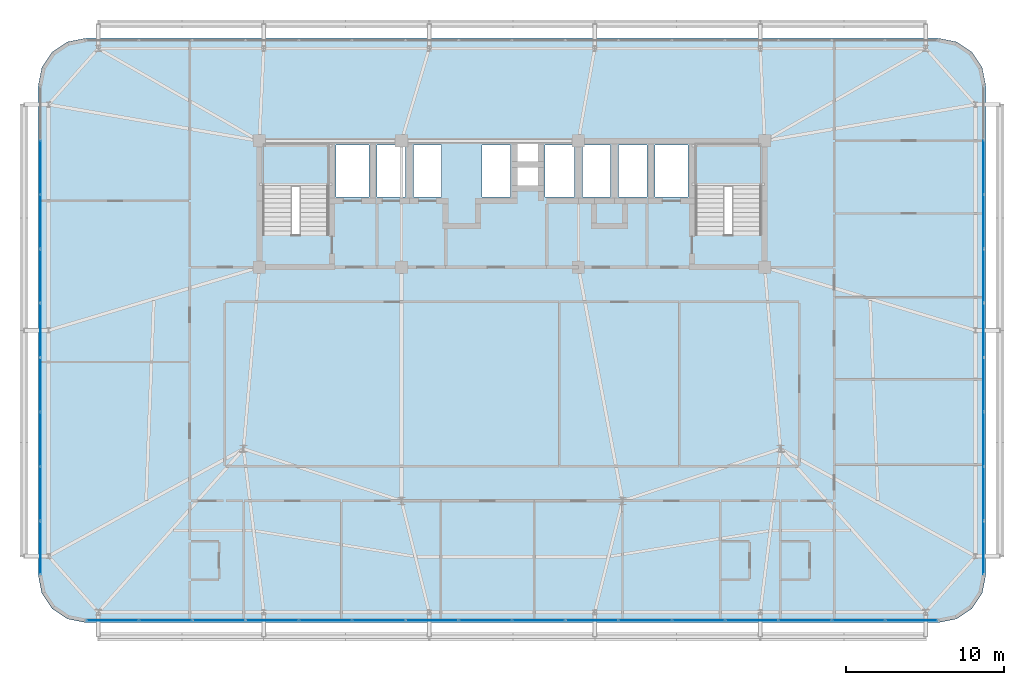
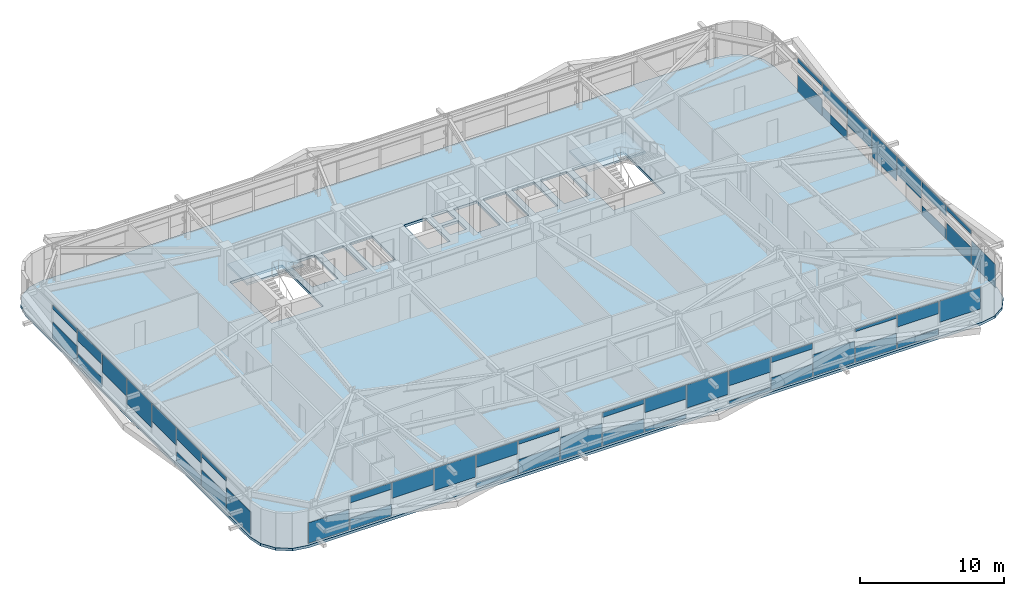
# One storey, part 42 of 58: 49 plates, 3 slabs, 5 elements without a shape of their own.
"""IFC4 building model written with IfcOpenShell, lengths in metres."""

import ifcopenshell
import ifcopenshell.guid

model = None  # the IFC model being written
_history = None  # IfcOwnerHistory: only IFC2X3 demands one
_inside = {}  # id of a spatial element -> (the spatial element, [elements in it])
_under = {}  # id of a project, library or spatial element -> (it, [spatial elements below it])
_declared = {}  # id of a project -> (the project, [libraries it declares])
_typed = {}  # id of a type object -> (the type object, [elements of that type])
_made_of = {}  # id of a material, layer set ... -> (it, [elements and type objects made of it])


def new_model(schema):
    """Start an empty IFC model of exactly this schema.

    Asked for "IFC4X3", IfcOpenShell would pick the latest addendum, in which some entities
    have other attributes; the version numbers below select the first issue.
    IFC2X3 requires an IfcOwnerHistory on every rooted entity: one is made here for all.
    """
    global model, _history
    if schema == "IFC4X3":
        model = ifcopenshell.file(schema_version=(4, 3, 0, 0))
    else:
        model = ifcopenshell.file(schema=schema)
    _inside.clear()
    _under.clear()
    _declared.clear()
    _typed.clear()
    _made_of.clear()
    _history = None
    if model.schema == "IFC2X3":
        org = make("IfcOrganization", Name="unknown")
        user = make(
            "IfcPersonAndOrganization",
            ThePerson=make("IfcPerson", FamilyName="unknown"),
            TheOrganization=org,
        )
        app = make(
            "IfcApplication",
            ApplicationDeveloper=org,
            Version="unknown",
            ApplicationFullName="unknown",
            ApplicationIdentifier="unknown",
        )
        _history = make(
            "IfcOwnerHistory",
            OwningUser=user,
            OwningApplication=app,
            ChangeAction="ADDED",
            CreationDate=0,
        )
    return model


def make(cls, **values):
    """One entity of the class cls with the attributes given. An attribute that is None is left unset."""
    return model.create_entity(
        cls, **{name: value for name, value in values.items() if value is not None}
    )


def rooted(cls, **values):
    """An entity with a GlobalId (a new one), such as an element, a storey or a relation."""
    return make(cls, GlobalId=ifcopenshell.guid.new(), OwnerHistory=_history, **values)


def si_unit(unit_type, name, prefix=None):
    """IfcSIUnit, for example si_unit("LENGTHUNIT", "METRE", prefix="MILLI")."""
    return make("IfcSIUnit", UnitType=unit_type, Prefix=prefix, Name=name)


def assignment(units):
    """IfcUnitAssignment: the units of a project."""
    return None if units is None else make("IfcUnitAssignment", Units=units)


def point(xyz):
    """IfcCartesianPoint."""
    return None if xyz is None else make("IfcCartesianPoint", Coordinates=xyz)


def direction(xyz):
    """IfcDirection."""
    return None if xyz is None else make("IfcDirection", DirectionRatios=xyz)


def frame(location, z_axis=None, x_axis=None):
    """IfcAxis2Placement3D, a coordinate frame: its origin and axes. An axis left out is left unset."""
    return make(
        "IfcAxis2Placement3D",
        Location=point(location),
        Axis=direction(z_axis),
        RefDirection=direction(x_axis),
    )


def frame_2d(location, x_axis=None):
    """IfcAxis2Placement2D, a coordinate frame in the plane: its origin and x axis."""
    return make(
        "IfcAxis2Placement2D", Location=point(location), RefDirection=direction(x_axis)
    )


def origin():
    """The frame at (0, 0, 0) with its axes left unset."""
    return frame((0.0, 0.0, 0.0))


def origin_2d():
    """The frame at (0, 0) in the plane with its x axis left unset."""
    return frame_2d((0.0, 0.0))


def place(relative_to, where):
    """IfcLocalPlacement: puts the frame where relative to a parent placement (None: the world)."""
    return make(
        "IfcLocalPlacement", PlacementRelTo=relative_to, RelativePlacement=where
    )


def context(
    kind, dimensions, precision=None, world=None, true_north=None, identifier=None
):
    """IfcGeometricRepresentationContext, for example the 3D "Model" context."""
    return make(
        "IfcGeometricRepresentationContext",
        ContextIdentifier=identifier,
        ContextType=kind,
        CoordinateSpaceDimension=dimensions,
        Precision=precision,
        WorldCoordinateSystem=world,
        TrueNorth=true_north,
    )


def subcontext(parent, identifier, kind, view, scale=None):
    """IfcGeometricRepresentationSubContext, for example "Body" below "Model"."""
    return make(
        "IfcGeometricRepresentationSubContext",
        ContextIdentifier=identifier,
        ContextType=kind,
        ParentContext=parent,
        TargetScale=scale,
        TargetView=view,
    )


def project(units=None, contexts=None):
    """IfcProject with its units and contexts."""
    return rooted(
        "IfcProject",
        Name="project",
        RepresentationContexts=contexts,
        UnitsInContext=assignment(units),
    )


def spatial(cls, under=None, at=None, **own):
    """A site, building, storey or space (cls), placed at a placement, below another one or the project."""
    s = rooted(cls, ObjectPlacement=at, **own)
    if under is not None:
        _under.setdefault(under.id(), (under, []))[1].append(s)
    return s


def polyline(points):
    """IfcPolyline through the points."""
    return make("IfcPolyline", Points=[point(p) for p in points])


def profile(cls, at=None, kind="AREA", **sizes):
    """A parametric profile (cls). Its sizes go by their IFC names, for example OverallWidth=200.0."""
    return make(cls, ProfileType=kind, Position=at, **sizes)


def rectangle(**sizes):
    """IfcRectangleProfileDef."""
    return profile("IfcRectangleProfileDef", **sizes)


def outline(outer, holes=None, kind="AREA"):
    """IfcArbitraryClosedProfileDef: a profile drawn as a closed curve; with holes, ...WithVoids."""
    if holes is None:
        return make("IfcArbitraryClosedProfileDef", ProfileType=kind, OuterCurve=outer)
    return make(
        "IfcArbitraryProfileDefWithVoids",
        ProfileType=kind,
        OuterCurve=outer,
        InnerCurves=holes,
    )


def extrude(swept, where, along, depth):
    """IfcExtrudedAreaSolid: the profile swept, set in the frame where, extruded along a direction by depth."""
    return make(
        "IfcExtrudedAreaSolid",
        SweptArea=swept,
        Position=where,
        ExtrudedDirection=direction(along),
        Depth=depth,
    )


def shape(context_of_items, identifier, shape_type, items):
    """IfcShapeRepresentation: the items that make up one representation, for example the "Body"."""
    return make(
        "IfcShapeRepresentation",
        ContextOfItems=context_of_items,
        RepresentationIdentifier=identifier,
        RepresentationType=shape_type,
        Items=items,
    )


def source(mapping_origin, context_of_items, identifier, shape_type, items):
    """IfcRepresentationMap: a shape defined once, which mapped items show again and again."""
    return make(
        "IfcRepresentationMap",
        MappingOrigin=mapping_origin,
        MappedRepresentation=shape(context_of_items, identifier, shape_type, items),
    )


def transform(
    local_origin,
    x_axis=None,
    y_axis=None,
    z_axis=None,
    scale=None,
    scale2=None,
    scale3=None,
    uniform=True,
):
    """IfcCartesianTransformationOperator3D, or its non-uniform kind. x_axis, y_axis, z_axis: its Axis1, 2, 3."""
    if uniform:
        return make(
            "IfcCartesianTransformationOperator3D",
            Axis1=direction(x_axis),
            Axis2=direction(y_axis),
            LocalOrigin=point(local_origin),
            Scale=scale,
            Axis3=direction(z_axis),
        )
    return make(
        "IfcCartesianTransformationOperator3DnonUniform",
        Axis1=direction(x_axis),
        Axis2=direction(y_axis),
        LocalOrigin=point(local_origin),
        Scale=scale,
        Axis3=direction(z_axis),
        Scale2=scale2,
        Scale3=scale3,
    )


def mapped(mapping_source, mapping_target):
    """IfcMappedItem: shows the shape of a source again, moved by a transform."""
    return make(
        "IfcMappedItem", MappingSource=mapping_source, MappingTarget=mapping_target
    )


def material(Name=None, Category=None):
    """IfcMaterial."""
    return make("IfcMaterial", Name=Name, Category=Category)


def layer(
    of_material, thickness, ventilated=None, Name=None, Category=None, Priority=None
):
    """IfcMaterialLayer: one layer of a wall or slab, of a material (None: an air gap)."""
    return make(
        "IfcMaterialLayer",
        Material=of_material,
        LayerThickness=thickness,
        IsVentilated=ventilated,
        Name=Name,
        Category=Category,
        Priority=Priority,
    )


def layer_set(layers, Name=None):
    """IfcMaterialLayerSet."""
    return make("IfcMaterialLayerSet", MaterialLayers=layers, LayerSetName=Name)


def made_of(thing, what):
    """Note that an element or type object is made of a material, layer set ...; save() writes the relation."""
    if what is not None:
        _made_of.setdefault(what.id(), (what, []))[1].append(thing)
    return thing


def type_object(cls, material=None, **own):
    """A type object (cls), such as IfcWallType, which elements share."""
    return made_of(rooted(cls, **own), material)


def element(
    cls,
    number,
    at=None,
    inside=None,
    cuts=None,
    type_object=None,
    material=None,
    context=None,
    identifier="Body",
    shape_type=None,
    held_by="IfcProductDefinitionShape",
    body=None,
    shapes=None,
    **own,
):
    """One element of the class cls, such as IfcWall. Its Tag is "e" and its number.

    at: its placement. inside: the storey or other place that contains it. cuts: it is an
    opening in that element (IfcRelVoidsElement). A single representation is given by context,
    identifier, shape_type and body (its items); several are given by shapes. held_by: the class
    of the entity that holds the representations. save() writes the other relations.
    """
    e = rooted(cls, Tag="e%d" % number, ObjectPlacement=at, **own)
    if body is not None:
        shapes = [shape(context, identifier, shape_type, body)]
    if shapes is not None:
        e.Representation = make(held_by, Representations=shapes)
    if inside is not None:
        _inside.setdefault(inside.id(), (inside, []))[1].append(e)
    if cuts is not None:
        rooted(
            "IfcRelVoidsElement", RelatingBuildingElement=cuts, RelatedOpeningElement=e
        )
    if type_object is not None:
        _typed.setdefault(type_object.id(), (type_object, []))[1].append(e)
    return made_of(e, material)


def aggregate(whole, parts):
    """IfcRelAggregates: a whole, such as a stair, and the parts it consists of."""
    return rooted("IfcRelAggregates", RelatingObject=whole, RelatedObjects=parts)


def save(model, path):
    """Write the relations noted so far, then the file.

    IfcRelAggregates (storeys below a building ...), IfcRelContainedInSpatialStructure (elements
    in a storey), IfcRelDefinesByType, IfcRelAssociatesMaterial and IfcRelDeclares: one each for
    every whole, place, type object, material and project.
    """
    for whole, parts in _under.values():
        aggregate(whole, parts)
    for where, things in _inside.values():
        rooted(
            "IfcRelContainedInSpatialStructure",
            RelatedElements=things,
            RelatingStructure=where,
        )
    for kind, things in _typed.values():
        rooted("IfcRelDefinesByType", RelatedObjects=things, RelatingType=kind)
    for what, things in _made_of.values():
        rooted("IfcRelAssociatesMaterial", RelatedObjects=things, RelatingMaterial=what)
    for by, libraries in _declared.values():
        rooted("IfcRelDeclares", RelatingContext=by, RelatedDefinitions=libraries)
    model.write(path)


model = new_model("IFC4")

# Units and contexts
model_context = context("Model", 3, precision=1e-05, world=origin(), true_north=direction((0.0, 1.0)))
body_context = subcontext(model_context, "Body", "Model", "MODEL_VIEW")
ifc_project = project(units=[si_unit("LENGTHUNIT", "METRE"), si_unit("AREAUNIT", "SQUARE_METRE"), si_unit("VOLUMEUNIT", "CUBIC_METRE"), si_unit("PLANEANGLEUNIT", "RADIAN"), si_unit("MASSUNIT", "GRAM", prefix="KILO")], contexts=[model_context])

# Site, building, storey
site_placement = place(None, origin())
site = spatial("IfcSite", under=ifc_project, at=site_placement, CompositionType="ELEMENT")
building_placement = place(site_placement, origin())
building = spatial("IfcBuilding", under=site, at=building_placement, Name="Taldren Reach Tower", CompositionType="ELEMENT")
storey_placement = place(building_placement, frame((0.0, 0.0, 51.449951171875)))
storey = spatial("IfcBuildingStorey", under=building, at=storey_placement, Name="L15", CompositionType="ELEMENT", Elevation=51.449951171875)

# Slab
ifc_material_1 = material(Name="Concrete N40 (40 MPa)", Category="concrete")
ifc_layer_1 = layer(ifc_material_1, 0.219970703125)
ifc_layer_set_1 = layer_set([ifc_layer_1], Name="Concrete N40 (40 MPa)")
slab_type_1 = type_object("IfcSlabType", Name="SL-FLR-220", PredefinedType="FLOOR", material=ifc_layer_set_1)
slab_1_placement = place(storey_placement, frame((0.0, 0.0, -0.219970703125)))
element("IfcSlab", 1, at=slab_1_placement, inside=storey, type_object=slab_type_1, Name="Suspended floor slab L15", PredefinedType="FLOOR", context=body_context, shape_type="SweptSolid", body=[
    extrude(outline(polyline([(62.0, 1.5), (63.14794921875, 1.728271484375), (64.121337890625, 2.378662109375), (64.771728515625, 3.35205078125), (65.0, 4.5), (65.0, 35.5), (64.771728515625, 36.64794921875), (64.121337890625, 37.621337890625), (63.14794921875, 38.271728515625), (62.0, 38.5), (8.0, 38.5), (6.85205078125, 38.271728515625), (5.878662109375, 37.621337890625), (5.228271484375, 36.64794921875), (5.0, 35.5), (5.0, 4.5), (5.228271484375, 3.35205078125), (5.878662109375, 2.378662109375), (6.85205078125, 1.728271484375), (8.0, 1.5), (62.0, 1.5)]), holes=[polyline([(19.219970703125, 26.050048828125), (23.3798828125, 26.050048828125), (23.3798828125, 31.820068359375), (19.219970703125, 31.820068359375), (19.219970703125, 26.050048828125)]), polyline([(46.6201171875, 26.050048828125), (50.780029296875, 26.050048828125), (50.780029296875, 31.820068359375), (46.6201171875, 31.820068359375), (46.6201171875, 26.050048828125)]), polyline([(23.85009765625, 28.449951171875), (25.949951171875, 28.449951171875), (25.949951171875, 31.75), (23.85009765625, 31.75), (23.85009765625, 28.449951171875)]), polyline([(44.050048828125, 28.449951171875), (46.14990234375, 28.449951171875), (46.14990234375, 31.75), (44.050048828125, 31.75), (44.050048828125, 28.449951171875)]), polyline([(26.449951171875, 28.449951171875), (28.25, 28.449951171875), (28.25, 31.75), (26.449951171875, 31.75), (26.449951171875, 28.449951171875)]), polyline([(28.75, 28.449951171875), (30.550048828125, 28.449951171875), (30.550048828125, 31.75), (28.75, 31.75), (28.75, 28.449951171875)]), polyline([(33.10009765625, 28.449951171875), (34.89990234375, 28.449951171875), (34.89990234375, 31.75), (33.10009765625, 31.75), (33.10009765625, 28.449951171875)]), polyline([(37.10009765625, 28.449951171875), (38.949951171875, 28.449951171875), (38.949951171875, 31.75), (37.10009765625, 31.75), (37.10009765625, 28.449951171875)]), polyline([(39.449951171875, 28.449951171875), (41.25, 28.449951171875), (41.25, 31.75), (39.449951171875, 31.75), (39.449951171875, 28.449951171875)]), polyline([(41.75, 28.449951171875), (43.550048828125, 28.449951171875), (43.550048828125, 31.75), (41.75, 31.75), (41.75, 28.449951171875)]), polyline([(35.35009765625, 30.64990234375), (36.64990234375, 30.64990234375), (36.64990234375, 31.85009765625), (35.35009765625, 31.85009765625), (35.35009765625, 30.64990234375)]), polyline([(35.35009765625, 29.14990234375), (36.64990234375, 29.14990234375), (36.64990234375, 30.35009765625), (35.35009765625, 30.35009765625), (35.35009765625, 29.14990234375)])]), origin(), (0.0, 0.0, 1.0), 0.219970703125),
])

# Stair, slab
ifc_material_2 = material(Name="Concrete S50 (50 MPa)", Category="concrete")
stair_type = type_object("IfcStairType", Name="ST-HT-315", PredefinedType="HALF_TURN_STAIR", material=ifc_material_2)
stair_1_placement = place(storey_placement, origin())
stair_1 = element("IfcStair", 2, at=stair_1_placement, inside=storey, type_object=stair_type, Name="Fire-isolated exit stair ST1 L15", PredefinedType="HALF_TURN_STAIR")
ifc_layer_2 = layer(ifc_material_2, 0.179931640625)
ifc_layer_set_2 = layer_set([ifc_layer_2], Name="Concrete S50 (50 MPa)")
slab_type_2 = type_object("IfcSlabType", Name="SL-LAND-180", PredefinedType="LANDING", material=ifc_layer_set_2)
slab_2_placement = place(storey_placement, frame((0.0, 0.0, 1.39501953125)))
slab_2 = element("IfcSlab", 3, at=slab_2_placement, type_object=slab_type_2, Name="ST1 landing 1", PredefinedType="LANDING", context=body_context, shape_type="SweptSolid", body=[
    extrude(outline(polyline([(19.0400390625, 29.135009765625), (23.56005859375, 29.135009765625), (23.56005859375, 31.8701171875), (19.0400390625, 31.8701171875), (19.0400390625, 29.135009765625)])), origin(), (0.0, 0.0, 1.0), 0.179931640625),
])
aggregate(stair_1, [slab_2])

stair_2_placement = place(storey_placement, origin())
stair_2 = element("IfcStair", 4, at=stair_2_placement, inside=storey, type_object=stair_type, Name="Fire-isolated exit stair ST2 L15", PredefinedType="HALF_TURN_STAIR")
slab_3_placement = place(storey_placement, frame((0.0, 0.0, 1.39501953125)))
slab_3 = element("IfcSlab", 5, at=slab_3_placement, type_object=slab_type_2, Name="ST2 landing 1", PredefinedType="LANDING", context=body_context, shape_type="SweptSolid", body=[
    extrude(outline(polyline([(46.43994140625, 29.135009765625), (50.9599609375, 29.135009765625), (50.9599609375, 31.8701171875), (46.43994140625, 31.8701171875), (46.43994140625, 29.135009765625)])), origin(), (0.0, 0.0, 1.0), 0.179931640625),
])
aggregate(stair_2, [slab_3])

# Curtain wall, plates
ifc_material_3 = material(Name="Aluminium and Low-E Glass Unitised System", Category="aluminium")
ifc_layer_3 = layer(ifc_material_3, 0.159912109375)
ifc_layer_set_3 = layer_set([ifc_layer_3], Name="Aluminium and Low-E Glass Unitised System")
curtain_wall_type = type_object("IfcCurtainWallType", Name="CW-SYS-2", PredefinedType="NOTDEFINED", material=ifc_layer_set_3)
curtain_wall_1_placement = place(storey_placement, origin())
curtain_wall_1 = element("IfcCurtainWall", 6, at=curtain_wall_1_placement, inside=storey, type_object=curtain_wall_type, Name="Unitised curtain wall CW-L15-S", PredefinedType="NOTDEFINED")
ifc_material_4 = material(Name="Solar-Control Double Glazed IGU", Category="glass")
ifc_layer_4 = layer(ifc_material_4, 0.031982421875)
ifc_layer_set_4 = layer_set([ifc_layer_4], Name="Solar-Control Double Glazed IGU")
plate_type = type_object("IfcPlateType", Name="CW-PNL-IGU32", PredefinedType="CURTAIN_PANEL", material=ifc_layer_set_4)
shared_shape_1 = source(origin(), body_context, "Body", "SweptSolid", [
    extrude(rectangle(XDim=3.277587890625, YDim=0.031982421875, at=origin_2d()), origin(), (0.0, 0.0, 1.0), 1.73876953125),
])
plate_1_placement = place(storey_placement, frame((9.703857421875, 1.639892578125, 0.054931640625), z_axis=(0.0, 0.0, 1.0), x_axis=(1.0, 0.0, 0.0)))
plate_1 = element("IfcPlate", 7, at=plate_1_placement, type_object=plate_type, Name="CW-2 panel 1.1 part 1", PredefinedType="CURTAIN_PANEL", context=body_context, shape_type="MappedRepresentation", body=[
    mapped(shared_shape_1, transform((0.0, 0.0, 0.0), scale=1.0)),
])
shared_shape_2 = source(origin(), body_context, "Body", "SweptSolid", [
    extrude(rectangle(XDim=3.31005859375, YDim=0.031982421875, at=origin_2d()), origin(), (0.0, 0.0, 1.0), 0.9560546875),
])
plate_2_placement = place(storey_placement, frame((13.0625, 1.639892578125, 0.05517578125), z_axis=(0.0, 0.0, 1.0), x_axis=(1.0, 0.0, 0.0)))
plate_2 = element("IfcPlate", 8, at=plate_2_placement, type_object=plate_type, Name="CW-2 panel 2.1 part 1", PredefinedType="CURTAIN_PANEL", context=body_context, shape_type="MappedRepresentation", body=[
    mapped(shared_shape_2, transform((0.0, 0.0, 0.0), scale=1.0)),
])
shared_shape_3 = source(origin(), body_context, "Body", "SweptSolid", [
    extrude(rectangle(XDim=3.31005859375, YDim=0.031982421875, at=origin_2d()), origin(), (0.0, 0.0, 1.0), 0.562744140625),
])
plate_3_placement = place(storey_placement, frame((13.0625, 1.639892578125, 2.3125), z_axis=(0.0, 0.0, 1.0), x_axis=(1.0, 0.0, 0.0)))
plate_3 = element("IfcPlate", 9, at=plate_3_placement, type_object=plate_type, Name="CW-2 panel 2.1 part 2", PredefinedType="CURTAIN_PANEL", context=body_context, shape_type="MappedRepresentation", body=[
    mapped(shared_shape_3, transform((0.0, 0.0, 0.0), scale=1.0)),
])
shared_shape_4 = source(origin(), body_context, "Body", "SweptSolid", [
    extrude(rectangle(XDim=3.31005859375, YDim=0.031982421875, at=origin_2d()), origin(), (0.0, 0.0, 1.0), 1.345458984375),
])
plate_4_placement = place(storey_placement, frame((16.4375, 1.639892578125, 1.52978515625), z_axis=(0.0, 0.0, 1.0), x_axis=(1.0, 0.0, 0.0)))
plate_4 = element("IfcPlate", 10, at=plate_4_placement, type_object=plate_type, Name="CW-2 panel 3.1 part 1", PredefinedType="CURTAIN_PANEL", context=body_context, shape_type="MappedRepresentation", body=[
    mapped(shared_shape_4, transform((0.0, 0.0, 0.0), scale=1.0)),
])
shared_shape_5 = source(origin(), body_context, "Body", "SweptSolid", [
    extrude(rectangle(XDim=3.31005859375, YDim=0.031982421875, at=origin_2d()), origin(), (0.0, 0.0, 1.0), 1.881103515625),
])
plate_5_placement = place(storey_placement, frame((19.8125, 1.639892578125, 0.994140625), z_axis=(0.0, 0.0, 1.0), x_axis=(1.0, 0.0, 0.0)))
plate_5 = element("IfcPlate", 11, at=plate_5_placement, type_object=plate_type, Name="CW-2 panel 4.1 part 1", PredefinedType="CURTAIN_PANEL", context=body_context, shape_type="MappedRepresentation", body=[
    mapped(shared_shape_5, transform((0.0, 0.0, 0.0), scale=1.0)),
])
shared_shape_6 = source(origin(), body_context, "Body", "SweptSolid", [
    extrude(rectangle(XDim=3.31005859375, YDim=0.031982421875, at=origin_2d()), origin(), (0.0, 0.0, 1.0), 0.42041015625),
])
plate_6_placement = place(storey_placement, frame((23.1875, 1.639892578125, 0.05517578125), z_axis=(0.0, 0.0, 1.0), x_axis=(1.0, 0.0, 0.0)))
plate_6 = element("IfcPlate", 12, at=plate_6_placement, type_object=plate_type, Name="CW-2 panel 5.1 part 1", PredefinedType="CURTAIN_PANEL", context=body_context, shape_type="MappedRepresentation", body=[
    mapped(shared_shape_6, transform((0.0, 0.0, 0.0), scale=1.0)),
])
shared_shape_7 = source(origin(), body_context, "Body", "SweptSolid", [
    extrude(rectangle(XDim=3.31005859375, YDim=0.031982421875, at=origin_2d()), origin(), (0.0, 0.0, 1.0), 1.098388671875),
])
plate_7_placement = place(storey_placement, frame((23.1875, 1.639892578125, 1.77685546875), z_axis=(0.0, 0.0, 1.0), x_axis=(1.0, 0.0, 0.0)))
plate_7 = element("IfcPlate", 13, at=plate_7_placement, type_object=plate_type, Name="CW-2 panel 5.1 part 2", PredefinedType="CURTAIN_PANEL", context=body_context, shape_type="MappedRepresentation", body=[
    mapped(shared_shape_7, transform((0.0, 0.0, 0.0), scale=1.0)),
])
shared_shape_8 = source(origin(), body_context, "Body", "SweptSolid", [
    extrude(rectangle(XDim=3.31005859375, YDim=0.031982421875, at=origin_2d()), origin(), (0.0, 0.0, 1.0), 1.203125),
])
plate_8_placement = place(storey_placement, frame((26.5625, 1.639892578125, 0.054931640625), z_axis=(0.0, 0.0, 1.0), x_axis=(1.0, 0.0, 0.0)))
plate_8 = element("IfcPlate", 14, at=plate_8_placement, type_object=plate_type, Name="CW-2 panel 6.1 part 1", PredefinedType="CURTAIN_PANEL", context=body_context, shape_type="MappedRepresentation", body=[
    mapped(shared_shape_8, transform((0.0, 0.0, 0.0), scale=1.0)),
])
shared_shape_9 = source(origin(), body_context, "Body", "SweptSolid", [
    extrude(rectangle(XDim=3.31005859375, YDim=0.031982421875, at=origin_2d()), origin(), (0.0, 0.0, 1.0), 0.31591796875),
])
plate_9_placement = place(storey_placement, frame((26.5625, 1.639892578125, 2.55908203125), z_axis=(0.0, 0.0, 1.0), x_axis=(1.0, 0.0, 0.0)))
plate_9 = element("IfcPlate", 15, at=plate_9_placement, type_object=plate_type, Name="CW-2 panel 6.1 part 2", PredefinedType="CURTAIN_PANEL", context=body_context, shape_type="MappedRepresentation", body=[
    mapped(shared_shape_9, transform((0.0, 0.0, 0.0), scale=1.0)),
])
shared_shape_10 = source(origin(), body_context, "Body", "SweptSolid", [
    extrude(rectangle(XDim=3.31005859375, YDim=0.031982421875, at=origin_2d()), origin(), (0.0, 0.0, 1.0), 1.9033203125),
])
plate_10_placement = place(storey_placement, frame((29.9375, 1.639892578125, 0.05517578125), z_axis=(0.0, 0.0, 1.0), x_axis=(1.0, 0.0, 0.0)))
plate_10 = element("IfcPlate", 16, at=plate_10_placement, type_object=plate_type, Name="CW-2 panel 7.1 part 1", PredefinedType="CURTAIN_PANEL", context=body_context, shape_type="MappedRepresentation", body=[
    mapped(shared_shape_10, transform((0.0, 0.0, 0.0), scale=1.0)),
])
shared_shape_11 = source(origin(), body_context, "Body", "SweptSolid", [
    extrude(rectangle(XDim=3.31005859375, YDim=0.031982421875, at=origin_2d()), origin(), (0.0, 0.0, 1.0), 1.120849609375),
])
plate_11_placement = place(storey_placement, frame((33.3125, 1.639892578125, 0.05517578125), z_axis=(0.0, 0.0, 1.0), x_axis=(1.0, 0.0, 0.0)))
plate_11 = element("IfcPlate", 17, at=plate_11_placement, type_object=plate_type, Name="CW-2 panel 8.1 part 1", PredefinedType="CURTAIN_PANEL", context=body_context, shape_type="MappedRepresentation", body=[
    mapped(shared_shape_11, transform((0.0, 0.0, 0.0), scale=1.0)),
])
shared_shape_12 = source(origin(), body_context, "Body", "SweptSolid", [
    extrude(rectangle(XDim=3.31005859375, YDim=0.031982421875, at=origin_2d()), origin(), (0.0, 0.0, 1.0), 0.398193359375),
])
plate_12_placement = place(storey_placement, frame((33.3125, 1.639892578125, 2.47705078125), z_axis=(0.0, 0.0, 1.0), x_axis=(1.0, 0.0, 0.0)))
plate_12 = element("IfcPlate", 18, at=plate_12_placement, type_object=plate_type, Name="CW-2 panel 8.1 part 2", PredefinedType="CURTAIN_PANEL", context=body_context, shape_type="MappedRepresentation", body=[
    mapped(shared_shape_12, transform((0.0, 0.0, 0.0), scale=1.0)),
])
shared_shape_13 = source(origin(), body_context, "Body", "SweptSolid", [
    extrude(rectangle(XDim=3.31005859375, YDim=0.031982421875, at=origin_2d()), origin(), (0.0, 0.0, 1.0), 0.338134765625),
])
plate_13_placement = place(storey_placement, frame((36.6875, 1.639892578125, 0.05517578125), z_axis=(0.0, 0.0, 1.0), x_axis=(1.0, 0.0, 0.0)))
plate_13 = element("IfcPlate", 19, at=plate_13_placement, type_object=plate_type, Name="CW-2 panel 9.1 part 1", PredefinedType="CURTAIN_PANEL", context=body_context, shape_type="MappedRepresentation", body=[
    mapped(shared_shape_13, transform((0.0, 0.0, 0.0), scale=1.0)),
])
shared_shape_14 = source(origin(), body_context, "Body", "SweptSolid", [
    extrude(rectangle(XDim=3.31005859375, YDim=0.031982421875, at=origin_2d()), origin(), (0.0, 0.0, 1.0), 1.1806640625),
])
plate_14_placement = place(storey_placement, frame((36.6875, 1.639892578125, 1.6943359375), z_axis=(0.0, 0.0, 1.0), x_axis=(1.0, 0.0, 0.0)))
plate_14 = element("IfcPlate", 20, at=plate_14_placement, type_object=plate_type, Name="CW-2 panel 9.1 part 2", PredefinedType="CURTAIN_PANEL", context=body_context, shape_type="MappedRepresentation", body=[
    mapped(shared_shape_14, transform((0.0, 0.0, 0.0), scale=1.0)),
])
shared_shape_15 = source(origin(), body_context, "Body", "SweptSolid", [
    extrude(rectangle(XDim=3.31005859375, YDim=0.031982421875, at=origin_2d()), origin(), (0.0, 0.0, 1.0), 1.96337890625),
])
plate_15_placement = place(storey_placement, frame((40.0625, 1.639892578125, 0.91162109375), z_axis=(0.0, 0.0, 1.0), x_axis=(1.0, 0.0, 0.0)))
plate_15 = element("IfcPlate", 21, at=plate_15_placement, type_object=plate_type, Name="CW-2 panel 10.1 part 1", PredefinedType="CURTAIN_PANEL", context=body_context, shape_type="MappedRepresentation", body=[
    mapped(shared_shape_15, transform((0.0, 0.0, 0.0), scale=1.0)),
])
shared_shape_16 = source(origin(), body_context, "Body", "SweptSolid", [
    extrude(rectangle(XDim=3.31005859375, YDim=0.031982421875, at=origin_2d()), origin(), (0.0, 0.0, 1.0), 0.255859375),
])
plate_16_placement = place(storey_placement, frame((43.4375, 1.639892578125, 0.05517578125), z_axis=(0.0, 0.0, 1.0), x_axis=(1.0, 0.0, 0.0)))
plate_16 = element("IfcPlate", 22, at=plate_16_placement, type_object=plate_type, Name="CW-2 panel 11.1 part 1", PredefinedType="CURTAIN_PANEL", context=body_context, shape_type="MappedRepresentation", body=[
    mapped(shared_shape_16, transform((0.0, 0.0, 0.0), scale=1.0)),
])
shared_shape_17 = source(origin(), body_context, "Body", "SweptSolid", [
    extrude(rectangle(XDim=3.31005859375, YDim=0.031982421875, at=origin_2d()), origin(), (0.0, 0.0, 1.0), 1.26318359375),
])
plate_17_placement = place(storey_placement, frame((43.4375, 1.639892578125, 1.61181640625), z_axis=(0.0, 0.0, 1.0), x_axis=(1.0, 0.0, 0.0)))
plate_17 = element("IfcPlate", 23, at=plate_17_placement, type_object=plate_type, Name="CW-2 panel 11.1 part 2", PredefinedType="CURTAIN_PANEL", context=body_context, shape_type="MappedRepresentation", body=[
    mapped(shared_shape_17, transform((0.0, 0.0, 0.0), scale=1.0)),
])
shared_shape_18 = source(origin(), body_context, "Body", "SweptSolid", [
    extrude(rectangle(XDim=3.31005859375, YDim=0.031982421875, at=origin_2d()), origin(), (0.0, 0.0, 1.0), 1.03857421875),
])
plate_18_placement = place(storey_placement, frame((46.8125, 1.639892578125, 0.054931640625), z_axis=(0.0, 0.0, 1.0), x_axis=(1.0, 0.0, 0.0)))
plate_18 = element("IfcPlate", 24, at=plate_18_placement, type_object=plate_type, Name="CW-2 panel 12.1 part 1", PredefinedType="CURTAIN_PANEL", context=body_context, shape_type="MappedRepresentation", body=[
    mapped(shared_shape_18, transform((0.0, 0.0, 0.0), scale=1.0)),
])
shared_shape_19 = source(origin(), body_context, "Body", "SweptSolid", [
    extrude(rectangle(XDim=3.31005859375, YDim=0.031982421875, at=origin_2d()), origin(), (0.0, 0.0, 1.0), 0.48046875),
])
plate_19_placement = place(storey_placement, frame((46.8125, 1.639892578125, 2.39453125), z_axis=(0.0, 0.0, 1.0), x_axis=(1.0, 0.0, 0.0)))
plate_19 = element("IfcPlate", 25, at=plate_19_placement, type_object=plate_type, Name="CW-2 panel 12.1 part 2", PredefinedType="CURTAIN_PANEL", context=body_context, shape_type="MappedRepresentation", body=[
    mapped(shared_shape_19, transform((0.0, 0.0, 0.0), scale=1.0)),
])
shared_shape_20 = source(origin(), body_context, "Body", "SweptSolid", [
    extrude(rectangle(XDim=3.31005859375, YDim=0.031982421875, at=origin_2d()), origin(), (0.0, 0.0, 1.0), 1.821044921875),
])
plate_20_placement = place(storey_placement, frame((50.1875, 1.639892578125, 0.05517578125), z_axis=(0.0, 0.0, 1.0), x_axis=(1.0, 0.0, 0.0)))
plate_20 = element("IfcPlate", 26, at=plate_20_placement, type_object=plate_type, Name="CW-2 panel 13.1 part 1", PredefinedType="CURTAIN_PANEL", context=body_context, shape_type="MappedRepresentation", body=[
    mapped(shared_shape_20, transform((0.0, 0.0, 0.0), scale=1.0)),
])
shared_shape_21 = source(origin(), body_context, "Body", "SweptSolid", [
    extrude(rectangle(XDim=3.31005859375, YDim=0.031982421875, at=origin_2d()), origin(), (0.0, 0.0, 1.0), 1.285400390625),
])
plate_21_placement = place(storey_placement, frame((53.5625, 1.639892578125, 0.05517578125), z_axis=(0.0, 0.0, 1.0), x_axis=(1.0, 0.0, 0.0)))
plate_21 = element("IfcPlate", 27, at=plate_21_placement, type_object=plate_type, Name="CW-2 panel 14.1 part 1", PredefinedType="CURTAIN_PANEL", context=body_context, shape_type="MappedRepresentation", body=[
    mapped(shared_shape_21, transform((0.0, 0.0, 0.0), scale=1.0)),
])
shared_shape_22 = source(origin(), body_context, "Body", "SweptSolid", [
    extrude(rectangle(XDim=3.31005859375, YDim=0.031982421875, at=origin_2d()), origin(), (0.0, 0.0, 1.0), 0.233642578125),
])
plate_22_placement = place(storey_placement, frame((53.5625, 1.639892578125, 2.6416015625), z_axis=(0.0, 0.0, 1.0), x_axis=(1.0, 0.0, 0.0)))
plate_22 = element("IfcPlate", 28, at=plate_22_placement, type_object=plate_type, Name="CW-2 panel 14.1 part 2", PredefinedType="CURTAIN_PANEL", context=body_context, shape_type="MappedRepresentation", body=[
    mapped(shared_shape_22, transform((0.0, 0.0, 0.0), scale=1.0)),
])
shared_shape_23 = source(origin(), body_context, "Body", "SweptSolid", [
    extrude(rectangle(XDim=3.31005859375, YDim=0.031982421875, at=origin_2d()), origin(), (0.0, 0.0, 1.0), 0.5029296875),
])
plate_23_placement = place(storey_placement, frame((56.9375, 1.639892578125, 0.054931640625), z_axis=(0.0, 0.0, 1.0), x_axis=(1.0, 0.0, 0.0)))
plate_23 = element("IfcPlate", 29, at=plate_23_placement, type_object=plate_type, Name="CW-2 panel 15.1 part 1", PredefinedType="CURTAIN_PANEL", context=body_context, shape_type="MappedRepresentation", body=[
    mapped(shared_shape_23, transform((0.0, 0.0, 0.0), scale=1.0)),
])
shared_shape_24 = source(origin(), body_context, "Body", "SweptSolid", [
    extrude(rectangle(XDim=3.31005859375, YDim=0.031982421875, at=origin_2d()), origin(), (0.0, 0.0, 1.0), 1.01611328125),
])
plate_24_placement = place(storey_placement, frame((56.9375, 1.639892578125, 1.85888671875), z_axis=(0.0, 0.0, 1.0), x_axis=(1.0, 0.0, 0.0)))
plate_24 = element("IfcPlate", 30, at=plate_24_placement, type_object=plate_type, Name="CW-2 panel 15.1 part 2", PredefinedType="CURTAIN_PANEL", context=body_context, shape_type="MappedRepresentation", body=[
    mapped(shared_shape_24, transform((0.0, 0.0, 0.0), scale=1.0)),
])
shared_shape_25 = source(origin(), body_context, "Body", "SweptSolid", [
    extrude(rectangle(XDim=3.277587890625, YDim=0.031982421875, at=origin_2d()), origin(), (0.0, 0.0, 1.0), 1.798583984375),
])
plate_25_placement = place(storey_placement, frame((60.296142578125, 1.639892578125, 1.076171875), z_axis=(0.0, 0.0, 1.0), x_axis=(1.0, 0.0, 0.0)))
plate_25 = element("IfcPlate", 31, at=plate_25_placement, type_object=plate_type, Name="CW-2 panel 16.1 part 1", PredefinedType="CURTAIN_PANEL", context=body_context, shape_type="MappedRepresentation", body=[
    mapped(shared_shape_25, transform((0.0, 0.0, 0.0), scale=1.0)),
])
aggregate(curtain_wall_1, [plate_1, plate_2, plate_3, plate_4, plate_5, plate_6, plate_7, plate_8, plate_9, plate_10, plate_11, plate_12, plate_13, plate_14, plate_15, plate_16, plate_17, plate_18, plate_19, plate_20, plate_21, plate_22, plate_23, plate_24, plate_25])

# Curtain wall, plate
curtain_wall_2_placement = place(storey_placement, origin())
curtain_wall_2 = element("IfcCurtainWall", 32, at=curtain_wall_2_placement, inside=storey, type_object=curtain_wall_type, Name="Unitised curtain wall CW-L15-W", PredefinedType="NOTDEFINED")
shared_shape_26 = source(origin(), body_context, "Body", "SweptSolid", [
    extrude(rectangle(XDim=3.346923828125, YDim=0.031982421875, at=origin_2d()), origin(), (0.0, 0.0, 1.0), 1.95556640625),
])
plate_26_placement = place(storey_placement, frame((5.139892578125, 6.238525390625, 0.054931640625), z_axis=(0.0, 0.0, 1.0), x_axis=(0.0, -1.0, 0.0)))
plate_26 = element("IfcPlate", 33, at=plate_26_placement, type_object=plate_type, Name="CW-2 panel 9.1 part 1", PredefinedType="CURTAIN_PANEL", context=body_context, shape_type="MappedRepresentation", body=[
    mapped(shared_shape_26, transform((0.0, 0.0, 0.0), scale=1.0)),
])

curtain_wall_3_placement = place(storey_placement, origin())
curtain_wall_3 = element("IfcCurtainWall", 34, at=curtain_wall_3_placement, inside=storey, type_object=curtain_wall_type, Name="Unitised curtain wall CW-L15-E", PredefinedType="NOTDEFINED")
plate_27_placement = place(storey_placement, frame((64.860107421875, 6.238525390625, 0.054931640625), z_axis=(0.0, 0.0, 1.0), x_axis=(0.0, 1.0, 0.0)))
plate_27 = element("IfcPlate", 35, at=plate_27_placement, type_object=plate_type, Name="CW-2 panel 1.1 part 1", PredefinedType="CURTAIN_PANEL", context=body_context, shape_type="MappedRepresentation", body=[
    mapped(shared_shape_26, transform((0.0, 0.0, 0.0), scale=1.0)),
])

# Plate
shared_shape_27 = source(origin(), body_context, "Body", "SweptSolid", [
    extrude(rectangle(XDim=3.37939453125, YDim=0.031982421875, at=origin_2d()), origin(), (0.0, 0.0, 1.0), 1.3701171875),
])
plate_28_placement = place(storey_placement, frame((5.139892578125, 30.333251953125, 0.05517578125), z_axis=(0.0, 0.0, 1.0), x_axis=(0.0, -1.0, 0.0)))
plate_28 = element("IfcPlate", 36, at=plate_28_placement, type_object=plate_type, Name="CW-2 panel 2.1 part 1", PredefinedType="CURTAIN_PANEL", context=body_context, shape_type="MappedRepresentation", body=[
    mapped(shared_shape_27, transform((0.0, 0.0, 0.0), scale=1.0)),
])

plate_29_placement = place(storey_placement, frame((5.139892578125, 9.666748046875, 0.05517578125), z_axis=(0.0, 0.0, 1.0), x_axis=(0.0, -1.0, 0.0)))
plate_29 = element("IfcPlate", 37, at=plate_29_placement, type_object=plate_type, Name="CW-2 panel 8.1 part 1", PredefinedType="CURTAIN_PANEL", context=body_context, shape_type="MappedRepresentation", body=[
    mapped(shared_shape_27, transform((0.0, 0.0, 0.0), scale=1.0)),
])

plate_30_placement = place(storey_placement, frame((64.860107421875, 9.666748046875, 0.05517578125), z_axis=(0.0, 0.0, 1.0), x_axis=(0.0, 1.0, 0.0)))
plate_30 = element("IfcPlate", 38, at=plate_30_placement, type_object=plate_type, Name="CW-2 panel 2.1 part 1", PredefinedType="CURTAIN_PANEL", context=body_context, shape_type="MappedRepresentation", body=[
    mapped(shared_shape_27, transform((0.0, 0.0, 0.0), scale=1.0)),
])

plate_31_placement = place(storey_placement, frame((64.860107421875, 30.333251953125, 0.05517578125), z_axis=(0.0, 0.0, 1.0), x_axis=(0.0, 1.0, 0.0)))
plate_31 = element("IfcPlate", 39, at=plate_31_placement, type_object=plate_type, Name="CW-2 panel 8.1 part 1", PredefinedType="CURTAIN_PANEL", context=body_context, shape_type="MappedRepresentation", body=[
    mapped(shared_shape_27, transform((0.0, 0.0, 0.0), scale=1.0)),
])

shared_shape_28 = source(origin(), body_context, "Body", "SweptSolid", [
    extrude(rectangle(XDim=3.37939453125, YDim=0.031982421875, at=origin_2d()), origin(), (0.0, 0.0, 1.0), 0.34814453125),
])
plate_32_placement = place(storey_placement, frame((5.139892578125, 30.333251953125, 2.52685546875), z_axis=(0.0, 0.0, 1.0), x_axis=(0.0, -1.0, 0.0)))
plate_32 = element("IfcPlate", 40, at=plate_32_placement, type_object=plate_type, Name="CW-2 panel 2.1 part 2", PredefinedType="CURTAIN_PANEL", context=body_context, shape_type="MappedRepresentation", body=[
    mapped(shared_shape_28, transform((0.0, 0.0, 0.0), scale=1.0)),
])

plate_33_placement = place(storey_placement, frame((5.139892578125, 9.666748046875, 2.52685546875), z_axis=(0.0, 0.0, 1.0), x_axis=(0.0, -1.0, 0.0)))
plate_33 = element("IfcPlate", 41, at=plate_33_placement, type_object=plate_type, Name="CW-2 panel 8.1 part 2", PredefinedType="CURTAIN_PANEL", context=body_context, shape_type="MappedRepresentation", body=[
    mapped(shared_shape_28, transform((0.0, 0.0, 0.0), scale=1.0)),
])

plate_34_placement = place(storey_placement, frame((64.860107421875, 9.666748046875, 2.52685546875), z_axis=(0.0, 0.0, 1.0), x_axis=(0.0, 1.0, 0.0)))
plate_34 = element("IfcPlate", 42, at=plate_34_placement, type_object=plate_type, Name="CW-2 panel 2.1 part 2", PredefinedType="CURTAIN_PANEL", context=body_context, shape_type="MappedRepresentation", body=[
    mapped(shared_shape_28, transform((0.0, 0.0, 0.0), scale=1.0)),
])

plate_35_placement = place(storey_placement, frame((64.860107421875, 30.333251953125, 2.52685546875), z_axis=(0.0, 0.0, 1.0), x_axis=(0.0, 1.0, 0.0)))
plate_35 = element("IfcPlate", 43, at=plate_35_placement, type_object=plate_type, Name="CW-2 panel 8.1 part 2", PredefinedType="CURTAIN_PANEL", context=body_context, shape_type="MappedRepresentation", body=[
    mapped(shared_shape_28, transform((0.0, 0.0, 0.0), scale=1.0)),
])

shared_shape_29 = source(origin(), body_context, "Body", "SweptSolid", [
    extrude(rectangle(XDim=3.37939453125, YDim=0.031982421875, at=origin_2d()), origin(), (0.0, 0.0, 1.0), 0.784912109375),
])
plate_36_placement = place(storey_placement, frame((5.139892578125, 26.888916015625, 0.05517578125), z_axis=(0.0, 0.0, 1.0), x_axis=(0.0, -1.0, 0.0)))
plate_36 = element("IfcPlate", 44, at=plate_36_placement, type_object=plate_type, Name="CW-2 panel 3.1 part 1", PredefinedType="CURTAIN_PANEL", context=body_context, shape_type="MappedRepresentation", body=[
    mapped(shared_shape_29, transform((0.0, 0.0, 0.0), scale=1.0)),
])

plate_37_placement = place(storey_placement, frame((5.139892578125, 13.111083984375, 0.05517578125), z_axis=(0.0, 0.0, 1.0), x_axis=(0.0, -1.0, 0.0)))
plate_37 = element("IfcPlate", 45, at=plate_37_placement, type_object=plate_type, Name="CW-2 panel 7.1 part 1", PredefinedType="CURTAIN_PANEL", context=body_context, shape_type="MappedRepresentation", body=[
    mapped(shared_shape_29, transform((0.0, 0.0, 0.0), scale=1.0)),
])

plate_38_placement = place(storey_placement, frame((64.860107421875, 13.111083984375, 0.05517578125), z_axis=(0.0, 0.0, 1.0), x_axis=(0.0, 1.0, 0.0)))
plate_38 = element("IfcPlate", 46, at=plate_38_placement, type_object=plate_type, Name="CW-2 panel 3.1 part 1", PredefinedType="CURTAIN_PANEL", context=body_context, shape_type="MappedRepresentation", body=[
    mapped(shared_shape_29, transform((0.0, 0.0, 0.0), scale=1.0)),
])

plate_39_placement = place(storey_placement, frame((64.860107421875, 26.888916015625, 0.05517578125), z_axis=(0.0, 0.0, 1.0), x_axis=(0.0, 1.0, 0.0)))
plate_39 = element("IfcPlate", 47, at=plate_39_placement, type_object=plate_type, Name="CW-2 panel 7.1 part 1", PredefinedType="CURTAIN_PANEL", context=body_context, shape_type="MappedRepresentation", body=[
    mapped(shared_shape_29, transform((0.0, 0.0, 0.0), scale=1.0)),
])

shared_shape_30 = source(origin(), body_context, "Body", "SweptSolid", [
    extrude(rectangle(XDim=3.37939453125, YDim=0.031982421875, at=origin_2d()), origin(), (0.0, 0.0, 1.0), 0.93359375),
])
plate_40_placement = place(storey_placement, frame((5.139892578125, 26.888916015625, 1.94140625), z_axis=(0.0, 0.0, 1.0), x_axis=(0.0, -1.0, 0.0)))
plate_40 = element("IfcPlate", 48, at=plate_40_placement, type_object=plate_type, Name="CW-2 panel 3.1 part 2", PredefinedType="CURTAIN_PANEL", context=body_context, shape_type="MappedRepresentation", body=[
    mapped(shared_shape_30, transform((0.0, 0.0, 0.0), scale=1.0)),
])

plate_41_placement = place(storey_placement, frame((5.139892578125, 13.111083984375, 1.94140625), z_axis=(0.0, 0.0, 1.0), x_axis=(0.0, -1.0, 0.0)))
plate_41 = element("IfcPlate", 49, at=plate_41_placement, type_object=plate_type, Name="CW-2 panel 7.1 part 2", PredefinedType="CURTAIN_PANEL", context=body_context, shape_type="MappedRepresentation", body=[
    mapped(shared_shape_30, transform((0.0, 0.0, 0.0), scale=1.0)),
])

plate_42_placement = place(storey_placement, frame((64.860107421875, 13.111083984375, 1.94140625), z_axis=(0.0, 0.0, 1.0), x_axis=(0.0, 1.0, 0.0)))
plate_42 = element("IfcPlate", 50, at=plate_42_placement, type_object=plate_type, Name="CW-2 panel 3.1 part 2", PredefinedType="CURTAIN_PANEL", context=body_context, shape_type="MappedRepresentation", body=[
    mapped(shared_shape_30, transform((0.0, 0.0, 0.0), scale=1.0)),
])

plate_43_placement = place(storey_placement, frame((64.860107421875, 26.888916015625, 1.94140625), z_axis=(0.0, 0.0, 1.0), x_axis=(0.0, 1.0, 0.0)))
plate_43 = element("IfcPlate", 51, at=plate_43_placement, type_object=plate_type, Name="CW-2 panel 7.1 part 2", PredefinedType="CURTAIN_PANEL", context=body_context, shape_type="MappedRepresentation", body=[
    mapped(shared_shape_30, transform((0.0, 0.0, 0.0), scale=1.0)),
])

shared_shape_31 = source(origin(), body_context, "Body", "SweptSolid", [
    extrude(rectangle(XDim=3.37939453125, YDim=0.031982421875, at=origin_2d()), origin(), (0.0, 0.0, 1.0), 1.518798828125),
])
plate_44_placement = place(storey_placement, frame((5.139892578125, 23.4443359375, 1.3564453125), z_axis=(0.0, 0.0, 1.0), x_axis=(0.0, -1.0, 0.0)))
plate_44 = element("IfcPlate", 52, at=plate_44_placement, type_object=plate_type, Name="CW-2 panel 4.1 part 1", PredefinedType="CURTAIN_PANEL", context=body_context, shape_type="MappedRepresentation", body=[
    mapped(shared_shape_31, transform((0.0, 0.0, 0.0), scale=1.0)),
])

plate_45_placement = place(storey_placement, frame((5.139892578125, 16.5556640625, 1.3564453125), z_axis=(0.0, 0.0, 1.0), x_axis=(0.0, -1.0, 0.0)))
plate_45 = element("IfcPlate", 53, at=plate_45_placement, type_object=plate_type, Name="CW-2 panel 6.1 part 1", PredefinedType="CURTAIN_PANEL", context=body_context, shape_type="MappedRepresentation", body=[
    mapped(shared_shape_31, transform((0.0, 0.0, 0.0), scale=1.0)),
])

plate_46_placement = place(storey_placement, frame((64.860107421875, 16.5556640625, 1.3564453125), z_axis=(0.0, 0.0, 1.0), x_axis=(0.0, 1.0, 0.0)))
plate_46 = element("IfcPlate", 54, at=plate_46_placement, type_object=plate_type, Name="CW-2 panel 4.1 part 1", PredefinedType="CURTAIN_PANEL", context=body_context, shape_type="MappedRepresentation", body=[
    mapped(shared_shape_31, transform((0.0, 0.0, 0.0), scale=1.0)),
])

plate_47_placement = place(storey_placement, frame((64.860107421875, 23.4443359375, 1.3564453125), z_axis=(0.0, 0.0, 1.0), x_axis=(0.0, 1.0, 0.0)))
plate_47 = element("IfcPlate", 55, at=plate_47_placement, type_object=plate_type, Name="CW-2 panel 6.1 part 1", PredefinedType="CURTAIN_PANEL", context=body_context, shape_type="MappedRepresentation", body=[
    mapped(shared_shape_31, transform((0.0, 0.0, 0.0), scale=1.0)),
])

shared_shape_32 = source(origin(), body_context, "Body", "SweptSolid", [
    extrude(rectangle(XDim=3.37939453125, YDim=0.031982421875, at=origin_2d()), origin(), (0.0, 0.0, 1.0), 2.104248046875),
])
plate_48_placement = place(storey_placement, frame((5.139892578125, 20.0, 0.77099609375), z_axis=(0.0, 0.0, 1.0), x_axis=(0.0, -1.0, 0.0)))
plate_48 = element("IfcPlate", 56, at=plate_48_placement, type_object=plate_type, Name="CW-2 panel 5.1 part 1", PredefinedType="CURTAIN_PANEL", context=body_context, shape_type="MappedRepresentation", body=[
    mapped(shared_shape_32, transform((0.0, 0.0, 0.0), scale=1.0)),
])

aggregate(curtain_wall_2, [plate_28, plate_32, plate_36, plate_40, plate_44, plate_48, plate_45, plate_37, plate_41, plate_29, plate_33, plate_26])

plate_49_placement = place(storey_placement, frame((64.860107421875, 20.0, 0.77099609375), z_axis=(0.0, 0.0, 1.0), x_axis=(0.0, 1.0, 0.0)))
plate_49 = element("IfcPlate", 57, at=plate_49_placement, type_object=plate_type, Name="CW-2 panel 5.1 part 1", PredefinedType="CURTAIN_PANEL", context=body_context, shape_type="MappedRepresentation", body=[
    mapped(shared_shape_32, transform((0.0, 0.0, 0.0), scale=1.0)),
])

aggregate(curtain_wall_3, [plate_27, plate_30, plate_34, plate_38, plate_42, plate_46, plate_49, plate_47, plate_39, plate_43, plate_31, plate_35])

save(model, "model.ifc")
